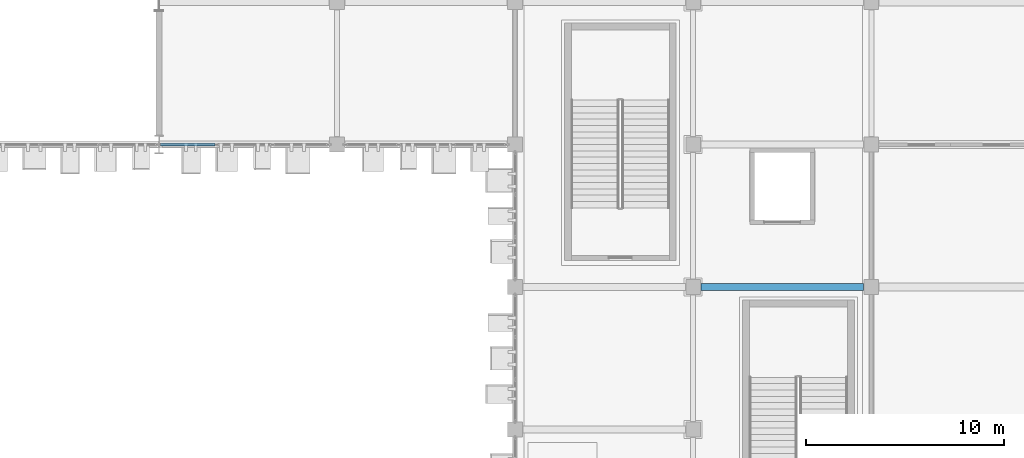
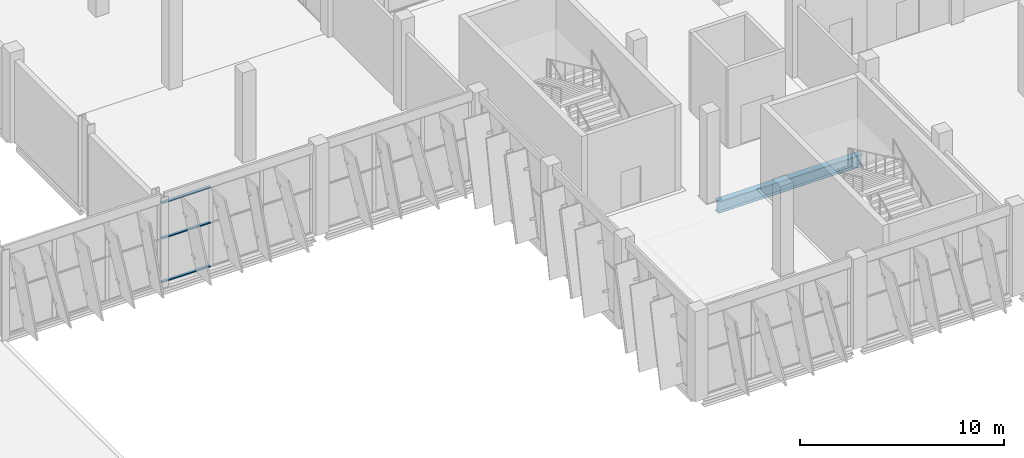
# One storey, part 45 of 189: 3 members, 1 beam, 1 element without a shape of its own.
"""IFC4 building model written with IfcOpenShell, lengths in metres."""

from ifc_helpers import new_model, si_unit, direction, frame, origin, origin_2d, place, context, subcontext, project, spatial, hollow_rectangle, i_section, extrude, material, layer, layer_set, material_profile, profile_set, type_object, element, aggregate, save


model = new_model("IFC4")

# Units and contexts
model_context = context("Model", 3, precision=1e-05, world=origin(), true_north=direction((0.0, 1.0)))
body_context = subcontext(model_context, "Body", "Model", "MODEL_VIEW")
ifc_project = project(units=[si_unit("LENGTHUNIT", "METRE"), si_unit("AREAUNIT", "SQUARE_METRE"), si_unit("VOLUMEUNIT", "CUBIC_METRE"), si_unit("PLANEANGLEUNIT", "RADIAN"), si_unit("MASSUNIT", "GRAM", prefix="KILO")], contexts=[model_context])

# Site, building, storey
site_placement = place(None, origin())
site = spatial("IfcSite", under=ifc_project, at=site_placement, CompositionType="ELEMENT")
building_placement = place(site_placement, origin())
building = spatial("IfcBuilding", under=site, at=building_placement, Name="Celestram Park Convention Centre", CompositionType="ELEMENT")
storey_placement = place(building_placement, frame((0.0, 0.0, 5.39990234375)))
storey = spatial("IfcBuildingStorey", under=building, at=storey_placement, Name="L01", CompositionType="ELEMENT", Elevation=5.39990234375)

# Curtain wall, members
ifc_material_1 = material(Name="Anodised Aluminium Alloy 6063-T6", Category="aluminium")
ifc_layer = layer(ifc_material_1, 0.179931640625)
ifc_layer_set = layer_set([ifc_layer], Name="Anodised Aluminium Alloy 6063-T6")
curtain_wall_type = type_object("IfcCurtainWallType", Name="ARC-CW-862X480", PredefinedType="NOTDEFINED", material=ifc_layer_set)
curtain_wall_placement = place(storey_placement, origin())
curtain_wall = element("IfcCurtainWall", 1, at=curtain_wall_placement, inside=storey, type_object=curtain_wall_type, Name="Unitised curtain wall CU-L01-042", PredefinedType="NOTDEFINED")
ifc_material_profile_1 = material_profile(ifc_material_1, hollow_rectangle(XDim=0.14990234375, YDim=0.06494140625, WallThickness=0.0029296875, at=origin_2d()), Name="ALU150X65X3")
ifc_profile_set_1 = profile_set([ifc_material_profile_1], Name="Anodised Aluminium Alloy 6063-T6")
member_type = type_object("IfcMemberType", Name="ARC-CWT-150", PredefinedType="USERDEFINED", material=ifc_profile_set_1)
member_1_placement = place(storey_placement, frame((128.8447265625, 21.60009765625, 0.03271484375), z_axis=(-1.0, 0.0, 0.0), x_axis=(0.0, -1.0, 0.0)))
member_1 = element("IfcMember", 2, at=member_1_placement, type_object=member_type, Name="CW-86X48 transom 3.1", ObjectType="TRANSOM", PredefinedType="USERDEFINED", context=body_context, shape_type="SweptSolid", body=[
    extrude(hollow_rectangle(XDim=0.14990234375, YDim=0.06494140625, WallThickness=0.0029296875, at=origin_2d()), origin(), (0.0, 0.0, 1.0), 2.759765625),
])
member_2_placement = place(storey_placement, frame((128.8447265625, 21.60009765625, 2.650146484375), z_axis=(-1.0, 0.0, 0.0), x_axis=(0.0, -1.0, 0.0)))
member_2 = element("IfcMember", 3, at=member_2_placement, type_object=member_type, Name="CW-86X48 transom 3.2", ObjectType="TRANSOM", PredefinedType="USERDEFINED", context=body_context, shape_type="SweptSolid", body=[
    extrude(hollow_rectangle(XDim=0.14990234375, YDim=0.06494140625, WallThickness=0.0029296875, at=origin_2d()), origin(), (0.0, 0.0, 1.0), 2.759765625),
])
member_3_placement = place(storey_placement, frame((128.8447265625, 21.60009765625, 4.771484375), z_axis=(-1.0, 0.0, 0.0), x_axis=(0.0, -1.0, 0.0)))
member_3 = element("IfcMember", 4, at=member_3_placement, type_object=member_type, Name="CW-86X48 transom 3.3", ObjectType="TRANSOM", PredefinedType="USERDEFINED", context=body_context, shape_type="SweptSolid", body=[
    extrude(hollow_rectangle(XDim=0.14990234375, YDim=0.06494140625, WallThickness=0.0029296875, at=origin_2d()), origin(), (0.0, 0.0, 1.0), 2.759765625),
])
aggregate(curtain_wall, [member_1, member_2, member_3])

# Beam
ifc_material_2 = material(Name="Steel ASTM A992 Grade 50", Category="steel")
ifc_material_profile_2 = material_profile(ifc_material_2, i_section(OverallWidth=0.35595703125, OverallDepth=0.696044921875, WebThickness=0.015380859375, FlangeThickness=0.02490234375, at=origin_2d()), Name="W27X146")
ifc_profile_set_2 = profile_set([ifc_material_profile_2], Name="Steel ASTM A992 Grade 50")
beam_type = type_object("IfcBeamType", Name="STR-BM-W27X146", PredefinedType="BEAM", material=ifc_profile_set_2)
beam_placement = place(storey_placement, frame((153.39794921875, 14.39990234375, -0.6279296875), z_axis=(1.0, 0.0, 0.0), x_axis=(0.0, 1.0, 0.0)))
element("IfcBeam", 5, at=beam_placement, inside=storey, type_object=beam_type, Name="Primary X-girder BG-L01-0360", PredefinedType="BEAM", context=body_context, shape_type="SweptSolid", body=[
    extrude(i_section(OverallWidth=0.35595703125, OverallDepth=0.696044921875, WebThickness=0.015380859375, FlangeThickness=0.02490234375, at=origin_2d()), origin(), (0.0, 0.0, 1.0), 8.2041015625),
])

save(model, "model.ifc")
